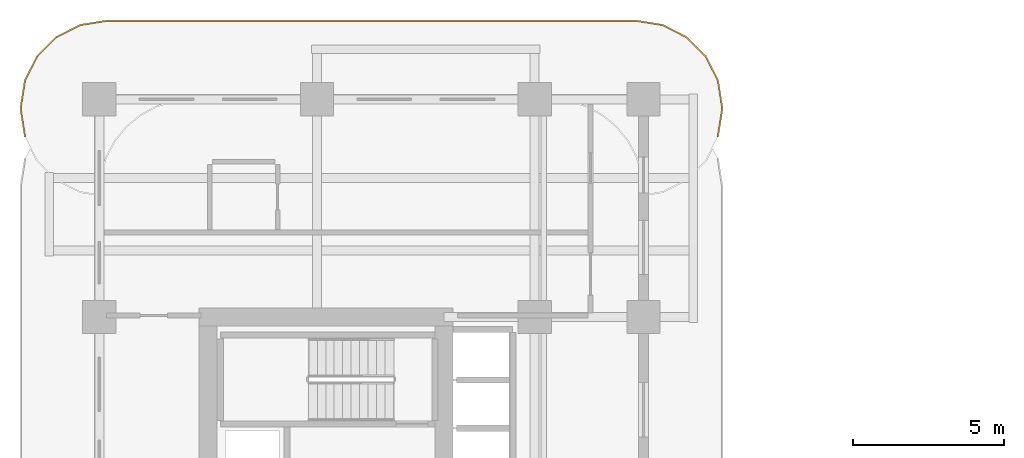
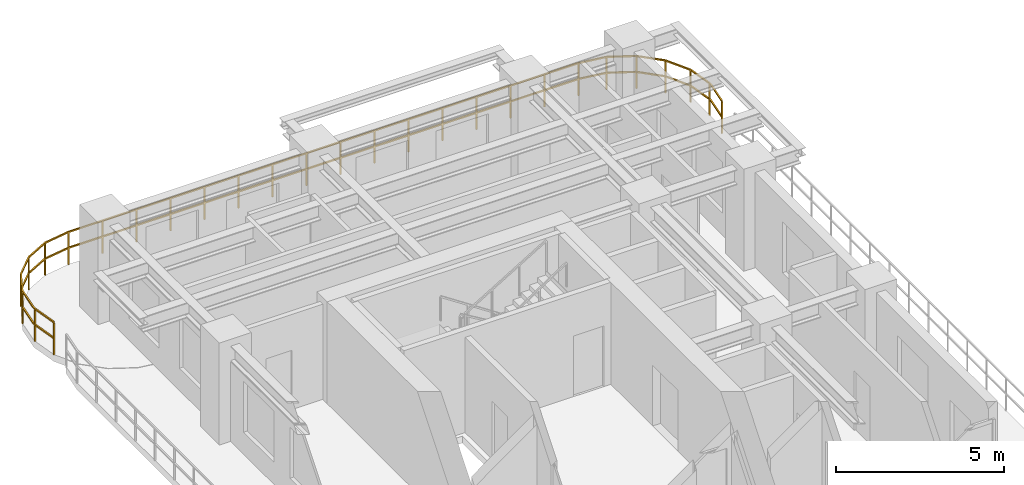
# One storey, part 19 of 19: 1 railing.
"""IFC4 building model written with IfcOpenShell, lengths in metres."""

from ifc_helpers import new_model, si_unit, derived_unit, direction, frame, origin, origin_2d, place, context, subcontext, project, spatial, rectangle, extrude, material, type_object, element, save


model = new_model("IFC4")

# Units and contexts
model_context = context("Model", 3, precision=1e-05, world=origin(), true_north=direction((0.0, 1.0)))
body_context = subcontext(model_context, "Body", "Model", "MODEL_VIEW")
ifc_project = project(units=[si_unit("LENGTHUNIT", "METRE"), si_unit("AREAUNIT", "SQUARE_METRE"), si_unit("VOLUMEUNIT", "CUBIC_METRE"), si_unit("PLANEANGLEUNIT", "RADIAN"), si_unit("MASSUNIT", "GRAM", prefix="KILO"), si_unit("THERMODYNAMICTEMPERATUREUNIT", "KELVIN"), si_unit("POWERUNIT", "WATT"), derived_unit("THERMALTRANSMITTANCEUNIT", [(si_unit("POWERUNIT", "WATT"), 1), (si_unit("AREAUNIT", "SQUARE_METRE"), -1), (si_unit("THERMODYNAMICTEMPERATUREUNIT", "KELVIN"), -1)])], contexts=[model_context])

# Site, building, storey
site_placement = place(None, origin())
site = spatial("IfcSite", under=ifc_project, at=site_placement, CompositionType="ELEMENT")
building_placement = place(site_placement, origin())
building = spatial("IfcBuilding", under=site, at=building_placement, Name="Zahravan Archway Hotel and Residences", CompositionType="ELEMENT")
storey_placement = place(building_placement, frame((0.0, 0.0, 47.199951171875)))
storey = spatial("IfcBuildingStorey", under=building, at=storey_placement, Name="L10", CompositionType="ELEMENT", Elevation=47.199951171875)

# Railing
ifc_material = material(Name="Bronze & Laminated Glass Balustrade", Category="glass")
railing_type = type_object("IfcRailingType", Name="RL-BAL-1200", PredefinedType="BALUSTRADE", material=ifc_material)
railing_placement = place(storey_placement, frame((-2.46044921875, 45.5693359375, 0.0)))
element("IfcRailing", 1, at=railing_placement, inside=storey, type_object=railing_type, Name="L10 Balustrade RL-SLB-BAL-L10-NB-1", PredefinedType="BALUSTRADE", context=body_context, shape_type="SweptSolid", body=[
    extrude(rectangle(XDim=0.048095703125, YDim=0.048095703125, at=origin_2d()), frame((0.0, 0.0, 1.17578125), z_axis=(-0.156623399917, 0.987658397726, 0.0), x_axis=(-0.987658397726, -0.156623399917, 0.0)), (0.0, 0.0, 1.0), 0.8916015625),
    extrude(rectangle(XDim=0.048095703125, YDim=0.048095703125, at=origin_2d()), frame((0.0, 0.0, 0.60009765625), z_axis=(-0.156623399917, 0.987658397726, 0.0), x_axis=(-0.987658397726, -0.156623399917, 0.0)), (0.0, 0.0, 1.0), 0.8916015625),
    extrude(rectangle(XDim=0.048095703125, YDim=0.048095703125, at=origin_2d()), frame((-0.1396484375, 0.880615234375, 1.17578125), z_axis=(0.0, 1.0, 0.0), x_axis=(-1.0, 0.0, 0.0)), (0.0, 0.0, 1.0), 0.10009765625),
    extrude(rectangle(XDim=0.048095703125, YDim=0.048095703125, at=origin_2d()), frame((-0.1396484375, 0.880615234375, 0.60009765625), z_axis=(0.0, 1.0, 0.0), x_axis=(-1.0, 0.0, 0.0)), (0.0, 0.0, 1.0), 0.10009765625),
    extrude(rectangle(XDim=0.048095703125, YDim=0.048095703125, at=origin_2d()), frame((-0.1396484375, 0.980712890625, 1.17578125), z_axis=(0.156623399917, 0.987658397726, 0.0), x_axis=(-0.987658397726, 0.156623399917, 0.0)), (0.0, 0.0, 1.0), 0.8916015625),
    extrude(rectangle(XDim=0.048095703125, YDim=0.048095703125, at=origin_2d()), frame((-0.1396484375, 0.980712890625, 0.60009765625), z_axis=(0.156623399917, 0.987658397726, 0.0), x_axis=(-0.987658397726, 0.156623399917, 0.0)), (0.0, 0.0, 1.0), 0.8916015625),
    extrude(rectangle(XDim=0.048095703125, YDim=0.048095703125, at=origin_2d()), frame((0.0, 1.861328125, 1.17578125), z_axis=(0.453991409995, 0.891006060389, 0.0), x_axis=(-0.891006060389, 0.453991409995, 0.0)), (0.0, 0.0, 1.0), 0.8916015625),
    extrude(rectangle(XDim=0.048095703125, YDim=0.048095703125, at=origin_2d()), frame((0.0, 1.861328125, 0.60009765625), z_axis=(0.453991409995, 0.891006060389, 0.0), x_axis=(-0.891006060389, 0.453991409995, 0.0)), (0.0, 0.0, 1.0), 0.8916015625),
    extrude(rectangle(XDim=0.048095703125, YDim=0.048095703125, at=origin_2d()), frame((0.40478515625, 2.65576171875, 1.17578125), z_axis=(0.706969864397, 0.70724367147, 0.0), x_axis=(-0.70724367147, 0.706969864397, 0.0)), (0.0, 0.0, 1.0), 0.8916015625),
    extrude(rectangle(XDim=0.048095703125, YDim=0.048095703125, at=origin_2d()), frame((0.40478515625, 2.65576171875, 0.60009765625), z_axis=(0.706969864397, 0.70724367147, 0.0), x_axis=(-0.70724367147, 0.706969864397, 0.0)), (0.0, 0.0, 1.0), 0.8916015625),
    extrude(rectangle(XDim=0.048095703125, YDim=0.048095703125, at=origin_2d()), frame((1.03515625, 3.286376953125, 1.17578125), z_axis=(0.891062476022, 0.45388067135, 0.0), x_axis=(-0.45388067135, 0.891062476022, 0.0)), (0.0, 0.0, 1.0), 0.891845703125),
    extrude(rectangle(XDim=0.048095703125, YDim=0.048095703125, at=origin_2d()), frame((1.03515625, 3.286376953125, 0.60009765625), z_axis=(0.891062476022, 0.45388067135, 0.0), x_axis=(-0.45388067135, 0.891062476022, 0.0)), (0.0, 0.0, 1.0), 0.891845703125),
    extrude(rectangle(XDim=0.048095703125, YDim=0.048095703125, at=origin_2d()), frame((1.829833984375, 3.691162109375, 1.17578125), z_axis=(0.987700720307, 0.156356282588, 0.0), x_axis=(-0.156356282588, 0.987700720307, 0.0)), (0.0, 0.0, 1.0), 0.8916015625),
    extrude(rectangle(XDim=0.048095703125, YDim=0.048095703125, at=origin_2d()), frame((1.829833984375, 3.691162109375, 0.60009765625), z_axis=(0.987700720307, 0.156356282588, 0.0), x_axis=(-0.156356282588, 0.987700720307, 0.0)), (0.0, 0.0, 1.0), 0.8916015625),
    extrude(rectangle(XDim=0.048095703125, YDim=0.048095703125, at=origin_2d()), frame((2.71044921875, 3.83056640625, 1.17578125), z_axis=(1.0, 0.0, 0.0), x_axis=(0.0, 1.0, 0.0)), (0.0, 0.0, 1.0), 17.5),
    extrude(rectangle(XDim=0.048095703125, YDim=0.048095703125, at=origin_2d()), frame((2.71044921875, 3.83056640625, 0.60009765625), z_axis=(1.0, 0.0, 0.0), x_axis=(0.0, 1.0, 0.0)), (0.0, 0.0, 1.0), 17.5),
    extrude(rectangle(XDim=0.048095703125, YDim=0.048095703125, at=origin_2d()), frame((20.21044921875, 3.83056640625, 1.17578125), z_axis=(0.987700720307, -0.156356282588, 0.0), x_axis=(0.156356282588, 0.987700720307, 0.0)), (0.0, 0.0, 1.0), 0.8916015625),
    extrude(rectangle(XDim=0.048095703125, YDim=0.048095703125, at=origin_2d()), frame((20.21044921875, 3.83056640625, 0.60009765625), z_axis=(0.987700720307, -0.156356282588, 0.0), x_axis=(0.156356282588, 0.987700720307, 0.0)), (0.0, 0.0, 1.0), 0.8916015625),
    extrude(rectangle(XDim=0.048095703125, YDim=0.048095703125, at=origin_2d()), frame((21.091064453125, 3.691162109375, 1.17578125), z_axis=(0.891062476022, -0.45388067135, 0.0), x_axis=(0.45388067135, 0.891062476022, 0.0)), (0.0, 0.0, 1.0), 0.891845703125),
    extrude(rectangle(XDim=0.048095703125, YDim=0.048095703125, at=origin_2d()), frame((21.091064453125, 3.691162109375, 0.60009765625), z_axis=(0.891062476022, -0.45388067135, 0.0), x_axis=(0.45388067135, 0.891062476022, 0.0)), (0.0, 0.0, 1.0), 0.891845703125),
    extrude(rectangle(XDim=0.048095703125, YDim=0.048095703125, at=origin_2d()), frame((21.8857421875, 3.286376953125, 1.17578125), z_axis=(0.706969864397, -0.70724367147, 0.0), x_axis=(0.70724367147, 0.706969864397, 0.0)), (0.0, 0.0, 1.0), 0.8916015625),
    extrude(rectangle(XDim=0.048095703125, YDim=0.048095703125, at=origin_2d()), frame((21.8857421875, 3.286376953125, 0.60009765625), z_axis=(0.706969864397, -0.70724367147, 0.0), x_axis=(0.70724367147, 0.706969864397, 0.0)), (0.0, 0.0, 1.0), 0.8916015625),
    extrude(rectangle(XDim=0.048095703125, YDim=0.048095703125, at=origin_2d()), frame((22.51611328125, 2.65576171875, 1.17578125), z_axis=(0.453991409995, -0.891006060389, 0.0), x_axis=(0.891006060389, 0.453991409995, 0.0)), (0.0, 0.0, 1.0), 0.8916015625),
    extrude(rectangle(XDim=0.048095703125, YDim=0.048095703125, at=origin_2d()), frame((22.51611328125, 2.65576171875, 0.60009765625), z_axis=(0.453991409995, -0.891006060389, 0.0), x_axis=(0.891006060389, 0.453991409995, 0.0)), (0.0, 0.0, 1.0), 0.8916015625),
    extrude(rectangle(XDim=0.048095703125, YDim=0.048095703125, at=origin_2d()), frame((22.9208984375, 1.861328125, 1.17578125), z_axis=(0.156623399917, -0.987658397726, 0.0), x_axis=(0.987658397726, 0.156623399917, 0.0)), (0.0, 0.0, 1.0), 0.8916015625),
    extrude(rectangle(XDim=0.048095703125, YDim=0.048095703125, at=origin_2d()), frame((22.9208984375, 1.861328125, 0.60009765625), z_axis=(0.156623399917, -0.987658397726, 0.0), x_axis=(0.987658397726, 0.156623399917, 0.0)), (0.0, 0.0, 1.0), 0.8916015625),
    extrude(rectangle(XDim=0.048095703125, YDim=0.048095703125, at=origin_2d()), frame((23.060546875, 0.980712890625, 1.17578125), z_axis=(0.0, -1.0, 0.0), x_axis=(1.0, 0.0, 0.0)), (0.0, 0.0, 1.0), 0.10009765625),
    extrude(rectangle(XDim=0.048095703125, YDim=0.048095703125, at=origin_2d()), frame((23.060546875, 0.980712890625, 0.60009765625), z_axis=(0.0, -1.0, 0.0), x_axis=(1.0, 0.0, 0.0)), (0.0, 0.0, 1.0), 0.10009765625),
    extrude(rectangle(XDim=0.048095703125, YDim=0.048095703125, at=origin_2d()), frame((23.060546875, 0.880615234375, 1.17578125), z_axis=(-0.156623399917, -0.987658397726, 0.0), x_axis=(0.987658397726, -0.156623399917, 0.0)), (0.0, 0.0, 1.0), 0.8916015625),
    extrude(rectangle(XDim=0.048095703125, YDim=0.048095703125, at=origin_2d()), frame((23.060546875, 0.880615234375, 0.60009765625), z_axis=(-0.156623399917, -0.987658397726, 0.0), x_axis=(0.987658397726, -0.156623399917, 0.0)), (0.0, 0.0, 1.0), 0.8916015625),
    extrude(rectangle(XDim=0.0419921875, YDim=0.0419921875, at=origin_2d()), origin(), (0.0, 0.0, 1.0), 1.15185546875),
    extrude(rectangle(XDim=0.0419921875, YDim=0.0419921875, at=origin_2d()), frame((-0.1396484375, 0.880615234375, 0.0)), (0.0, 0.0, 1.0), 1.15185546875),
    extrude(rectangle(XDim=0.0419921875, YDim=0.0419921875, at=origin_2d()), frame((0.0, 1.861328125, 0.0)), (0.0, 0.0, 1.0), 1.15185546875),
    extrude(rectangle(XDim=0.0419921875, YDim=0.0419921875, at=origin_2d()), frame((0.40478515625, 2.65576171875, 0.0)), (0.0, 0.0, 1.0), 1.15185546875),
    extrude(rectangle(XDim=0.0419921875, YDim=0.0419921875, at=origin_2d()), frame((1.03515625, 3.286376953125, 0.0)), (0.0, 0.0, 1.0), 1.15185546875),
    extrude(rectangle(XDim=0.0419921875, YDim=0.0419921875, at=origin_2d()), frame((1.829833984375, 3.691162109375, 0.0)), (0.0, 0.0, 1.0), 1.15185546875),
    extrude(rectangle(XDim=0.0419921875, YDim=0.0419921875, at=origin_2d()), frame((2.71044921875, 3.83056640625, 0.0)), (0.0, 0.0, 1.0), 1.15185546875),
    extrude(rectangle(XDim=0.0419921875, YDim=0.0419921875, at=origin_2d()), frame((3.877197265625, 3.83056640625, 0.0)), (0.0, 0.0, 1.0), 1.15185546875),
    extrude(rectangle(XDim=0.0419921875, YDim=0.0419921875, at=origin_2d()), frame((5.043701171875, 3.83056640625, 0.0)), (0.0, 0.0, 1.0), 1.15185546875),
    extrude(rectangle(XDim=0.0419921875, YDim=0.0419921875, at=origin_2d()), frame((6.21044921875, 3.83056640625, 0.0)), (0.0, 0.0, 1.0), 1.15185546875),
    extrude(rectangle(XDim=0.0419921875, YDim=0.0419921875, at=origin_2d()), frame((7.377197265625, 3.83056640625, 0.0)), (0.0, 0.0, 1.0), 1.15185546875),
    extrude(rectangle(XDim=0.0419921875, YDim=0.0419921875, at=origin_2d()), frame((8.543701171875, 3.83056640625, 0.0)), (0.0, 0.0, 1.0), 1.15185546875),
    extrude(rectangle(XDim=0.0419921875, YDim=0.0419921875, at=origin_2d()), frame((9.71044921875, 3.83056640625, 0.0)), (0.0, 0.0, 1.0), 1.15185546875),
    extrude(rectangle(XDim=0.0419921875, YDim=0.0419921875, at=origin_2d()), frame((10.877197265625, 3.83056640625, 0.0)), (0.0, 0.0, 1.0), 1.15185546875),
    extrude(rectangle(XDim=0.0419921875, YDim=0.0419921875, at=origin_2d()), frame((12.043701171875, 3.83056640625, 0.0)), (0.0, 0.0, 1.0), 1.15185546875),
    extrude(rectangle(XDim=0.0419921875, YDim=0.0419921875, at=origin_2d()), frame((13.21044921875, 3.83056640625, 0.0)), (0.0, 0.0, 1.0), 1.15185546875),
    extrude(rectangle(XDim=0.0419921875, YDim=0.0419921875, at=origin_2d()), frame((14.377197265625, 3.83056640625, 0.0)), (0.0, 0.0, 1.0), 1.15185546875),
    extrude(rectangle(XDim=0.0419921875, YDim=0.0419921875, at=origin_2d()), frame((15.543701171875, 3.83056640625, 0.0)), (0.0, 0.0, 1.0), 1.15185546875),
    extrude(rectangle(XDim=0.0419921875, YDim=0.0419921875, at=origin_2d()), frame((16.71044921875, 3.83056640625, 0.0)), (0.0, 0.0, 1.0), 1.15185546875),
    extrude(rectangle(XDim=0.0419921875, YDim=0.0419921875, at=origin_2d()), frame((17.877197265625, 3.83056640625, 0.0)), (0.0, 0.0, 1.0), 1.15185546875),
    extrude(rectangle(XDim=0.0419921875, YDim=0.0419921875, at=origin_2d()), frame((19.043701171875, 3.83056640625, 0.0)), (0.0, 0.0, 1.0), 1.15185546875),
    extrude(rectangle(XDim=0.0419921875, YDim=0.0419921875, at=origin_2d()), frame((20.21044921875, 3.83056640625, 0.0)), (0.0, 0.0, 1.0), 1.15185546875),
    extrude(rectangle(XDim=0.0419921875, YDim=0.0419921875, at=origin_2d()), frame((21.091064453125, 3.691162109375, 0.0)), (0.0, 0.0, 1.0), 1.15185546875),
    extrude(rectangle(XDim=0.0419921875, YDim=0.0419921875, at=origin_2d()), frame((21.8857421875, 3.286376953125, 0.0)), (0.0, 0.0, 1.0), 1.15185546875),
    extrude(rectangle(XDim=0.0419921875, YDim=0.0419921875, at=origin_2d()), frame((22.51611328125, 2.65576171875, 0.0)), (0.0, 0.0, 1.0), 1.15185546875),
    extrude(rectangle(XDim=0.0419921875, YDim=0.0419921875, at=origin_2d()), frame((22.9208984375, 1.861328125, 0.0)), (0.0, 0.0, 1.0), 1.15185546875),
    extrude(rectangle(XDim=0.0419921875, YDim=0.0419921875, at=origin_2d()), frame((23.060546875, 0.980712890625, 0.0)), (0.0, 0.0, 1.0), 1.15185546875),
    extrude(rectangle(XDim=0.0419921875, YDim=0.0419921875, at=origin_2d()), frame((22.9208984375, 0.0, 0.0)), (0.0, 0.0, 1.0), 1.15185546875),
])

save(model, "model.ifc")
